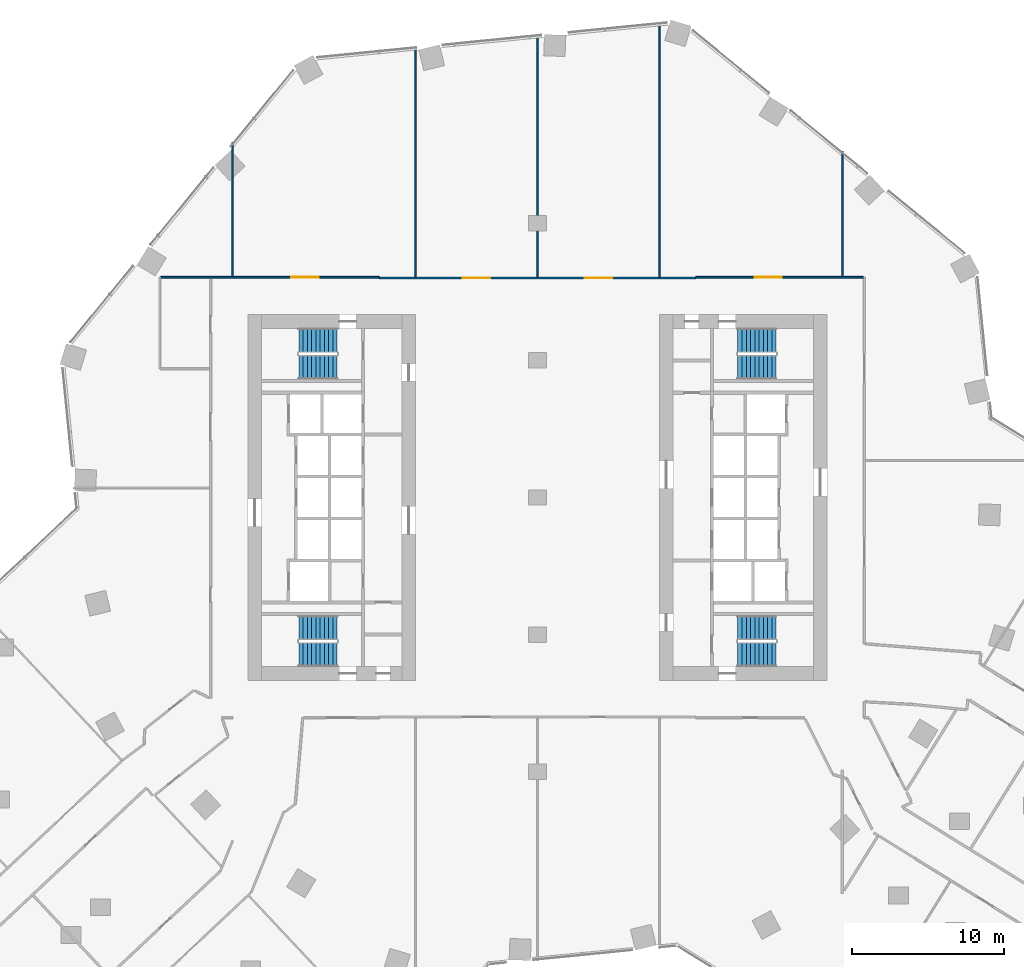
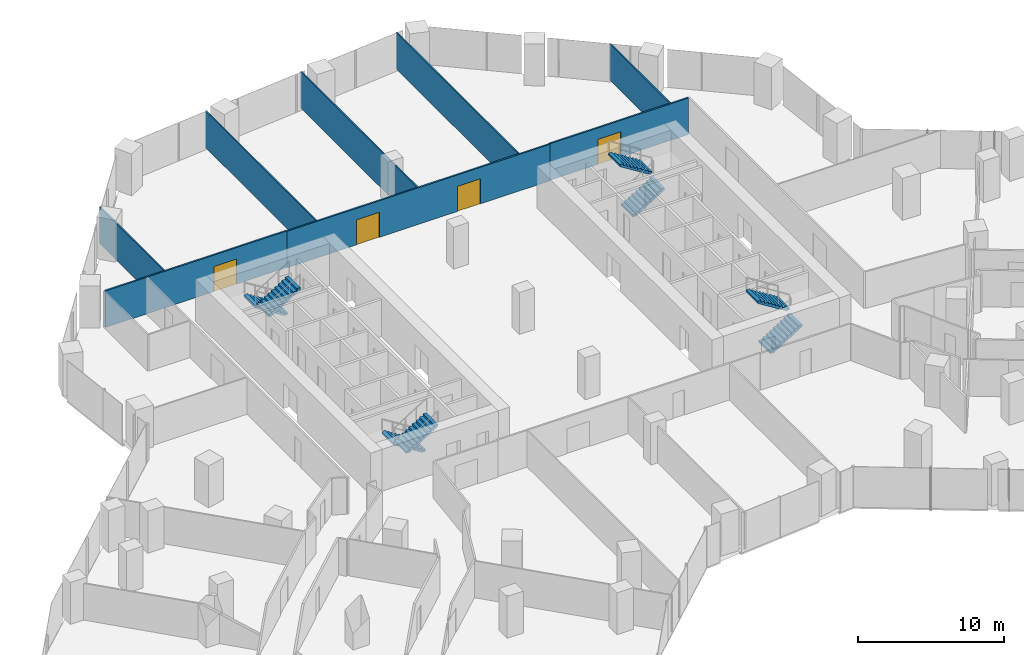
# One storey, part 33 of 34: 8 stair flights, 8 walls, 4 doors, 4 openings, 4 elements without a shape of their own.
"""IFC4 building model written with IfcOpenShell, lengths in metres."""

from ifc_helpers import new_model, si_unit, direction, frame, frame_2d, origin, place, context, subcontext, project, spatial, polyline, rectangle, outline, extrude, material, layer, layer_set, type_object, element, fill, aggregate, save


model = new_model("IFC4")

# Units and contexts
model_context = context("Model", 3, precision=1e-05, world=origin(), true_north=direction((0.0, 1.0)))
body_context = subcontext(model_context, "Body", "Model", "MODEL_VIEW")
ifc_project = project(units=[si_unit("LENGTHUNIT", "METRE"), si_unit("AREAUNIT", "SQUARE_METRE"), si_unit("VOLUMEUNIT", "CUBIC_METRE"), si_unit("PLANEANGLEUNIT", "RADIAN"), si_unit("MASSUNIT", "GRAM", prefix="KILO")], contexts=[model_context])

# Site, building, storey
site_placement = place(None, origin())
site = spatial("IfcSite", under=ifc_project, at=site_placement, CompositionType="ELEMENT")
building_placement = place(site_placement, origin())
building = spatial("IfcBuilding", under=site, at=building_placement, Name="Orlundy Tower", CompositionType="ELEMENT")
storey_placement = place(building_placement, frame((0.0, 0.0, 40.800048828125)))
storey = spatial("IfcBuildingStorey", under=building, at=storey_placement, Name="L08", CompositionType="ELEMENT", Elevation=40.800048828125)

# Walls
ifc_material_1 = material(Name="Gypsum board partition")
ifc_layer_1 = layer(ifc_material_1, 0.10009765625)
ifc_layer_set_1 = layer_set([ifc_layer_1], Name="Floor partition 100")
wall_type_1 = type_object("IfcWallType", Name="Floor partition 100", PredefinedType="PARTITIONING", material=ifc_layer_set_1)
wall_1_placement = place(storey_placement, frame((20.0, 14.513916015625, 0.0), z_axis=(0.0, 0.0, 1.0), x_axis=(0.0, 1.0, 0.0)))
element("IfcWall", 1, at=wall_1_placement, inside=storey, type_object=wall_type_1, Name="wall-int-L08-077", PredefinedType="PARTITIONING", context=body_context, shape_type="SweptSolid", body=[
    extrude(rectangle(XDim=8.2060546875, YDim=0.10009765625, at=frame_2d((4.10302734375, 0.0))), origin(), (0.0, 0.0, 1.0), 3.06005859375),
])
wall_2_placement = place(storey_placement, frame((8.0, 14.462890625, 0.0), z_axis=(0.0, 0.0, 1.0), x_axis=(0.0, 1.0, 0.0)))
element("IfcWall", 2, at=wall_2_placement, inside=storey, type_object=wall_type_1, Name="wall-int-L08-079", PredefinedType="PARTITIONING", context=body_context, shape_type="SweptSolid", body=[
    extrude(rectangle(XDim=16.72900390625, YDim=0.10009765625, at=frame_2d((8.364501953125, 0.0))), origin(), (0.0, 0.0, 1.0), 3.06005859375),
])
wall_3_placement = place(storey_placement, frame((0.0, 14.462890625, 0.0), z_axis=(0.0, 0.0, 1.0), x_axis=(0.0, 1.0, 0.0)))
element("IfcWall", 3, at=wall_3_placement, inside=storey, type_object=wall_type_1, Name="wall-int-L08-081", PredefinedType="PARTITIONING", context=body_context, shape_type="SweptSolid", body=[
    extrude(rectangle(XDim=15.93505859375, YDim=0.10009765625, at=frame_2d((7.967529296875, 0.0))), origin(), (0.0, 0.0, 1.0), 3.06005859375),
])
wall_4_placement = place(storey_placement, frame((-8.0, 14.462890625, 0.0), z_axis=(0.0, 0.0, 1.0), x_axis=(0.0, 1.0, 0.0)))
element("IfcWall", 4, at=wall_4_placement, inside=storey, type_object=wall_type_1, Name="wall-int-L08-083", PredefinedType="PARTITIONING", context=body_context, shape_type="SweptSolid", body=[
    extrude(rectangle(XDim=15.14208984375, YDim=0.10009765625, at=frame_2d((7.571044921875, 0.0))), origin(), (0.0, 0.0, 1.0), 3.06005859375),
])
wall_5_placement = place(storey_placement, frame((-20.0, 14.513916015625, 0.0), z_axis=(0.0, 0.0, 1.0), x_axis=(0.0, 1.0, 0.0)))
element("IfcWall", 5, at=wall_5_placement, inside=storey, type_object=wall_type_1, Name="wall-int-L08-084", PredefinedType="PARTITIONING", context=body_context, shape_type="SweptSolid", body=[
    extrude(rectangle(XDim=8.80517578125, YDim=0.10009765625, at=frame_2d((4.402587890625, 0.0))), origin(), (0.0, 0.0, 1.0), 3.06005859375),
])

# Wall, openings, doors
ifc_material_2 = material(Name="Gypsum board partition, double layer")
ifc_layer_2 = layer(ifc_material_2, 0.125)
ifc_layer_set_2 = layer_set([ifc_layer_2], Name="Floor partition 125")
wall_type_2 = type_object("IfcWallType", Name="Floor partition 125", PredefinedType="PARTITIONING", material=ifc_layer_set_2)
wall_6_placement = place(storey_placement, frame((-10.389892578125, 14.40087890625, 0.0), z_axis=(0.0, 0.0, 1.0), x_axis=(1.0, 0.0, 0.0)))
wall_6 = element("IfcWall", 6, at=wall_6_placement, inside=storey, type_object=wall_type_2, Name="wall-int-L08-041", PredefinedType="PARTITIONING", context=body_context, shape_type="SweptSolid", body=[
    extrude(rectangle(XDim=20.781005859375, YDim=0.125, at=frame_2d((10.390625, 0.0))), origin(), (0.0, 0.0, 1.0), 3.06005859375),
])
opening_1_placement = place(wall_6_placement, frame((13.489990234375, 0.0, 0.0)))
opening_1 = element("IfcOpeningElement", 7, at=opening_1_placement, cuts=wall_6, Name="Opening 09132", PredefinedType="OPENING", context=body_context, shape_type="SweptSolid", body=[
    extrude(rectangle(XDim=1.800048828125, YDim=2.10009765625, at=frame_2d((0.89990234375, 1.050048828125))), frame((0.0, 0.072509765625, 0.0), z_axis=(0.0, -1.0, 0.0), x_axis=(1.0, 0.0, 0.0)), (0.0, 0.0, 1.0), 0.14501953125),
])
opening_2_placement = place(wall_6_placement, frame((5.489990234375, 0.0, 0.0)))
opening_2 = element("IfcOpeningElement", 8, at=opening_2_placement, cuts=wall_6, Name="Opening 09133", PredefinedType="OPENING", context=body_context, shape_type="SweptSolid", body=[
    extrude(rectangle(XDim=1.800048828125, YDim=2.10009765625, at=frame_2d((0.89990234375, 1.050048828125))), frame((0.0, 0.072509765625, 0.0), z_axis=(0.0, -1.0, 0.0), x_axis=(1.0, 0.0, 0.0)), (0.0, 0.0, 1.0), 0.14501953125),
])
ifc_material_3 = material(Name="Timber door leaf", Category="wood")
door_type = type_object("IfcDoorType", Name="Floor door double 1800 FD30S", OperationType="NOTDEFINED", PredefinedType="DOOR", material=ifc_material_3)
door_1_placement = place(opening_1_placement, origin())
door_1 = element("IfcDoor", 9, at=door_1_placement, inside=storey, type_object=door_type, Name="Door 09132", OperationType="DOUBLE_DOOR_SINGLE_SWING", OverallHeight=2.10009765625, OverallWidth=1.800048828125, PredefinedType="DOOR", context=body_context, shape_type="SweptSolid", body=[
    extrude(rectangle(XDim=1.800048828125, YDim=2.10009765625, at=frame_2d((0.89990234375, 1.050048828125))), frame((0.0, 0.02490234375, 0.0), z_axis=(0.0, -1.0, 0.0), x_axis=(1.0, 0.0, 0.0)), (0.0, 0.0, 1.0), 0.050048828125),
])
fill(opening_1, door_1)
door_2_placement = place(opening_2_placement, origin())
door_2 = element("IfcDoor", 10, at=door_2_placement, inside=storey, type_object=door_type, Name="Door 09133", OperationType="DOUBLE_DOOR_SINGLE_SWING", OverallHeight=2.10009765625, OverallWidth=1.800048828125, PredefinedType="DOOR", context=body_context, shape_type="SweptSolid", body=[
    extrude(rectangle(XDim=1.800048828125, YDim=2.10009765625, at=frame_2d((0.89990234375, 1.050048828125))), frame((0.0, 0.02490234375, 0.0), z_axis=(0.0, -1.0, 0.0), x_axis=(1.0, 0.0, 0.0)), (0.0, 0.0, 1.0), 0.050048828125),
])
fill(opening_2, door_2)

# Wall, opening, door
wall_7_placement = place(storey_placement, frame((-24.73095703125, 14.449951171875, 0.0), z_axis=(0.0, 0.0, 1.0), x_axis=(1.0, 0.0, 0.0)))
wall_7 = element("IfcWall", 11, at=wall_7_placement, inside=storey, type_object=wall_type_2, Name="wall-int-L08-042", PredefinedType="PARTITIONING", context=body_context, shape_type="SweptSolid", body=[
    extrude(rectangle(XDim=14.33984375, YDim=0.125, at=frame_2d((7.169921875, 0.0))), origin(), (0.0, 0.0, 1.0), 3.06005859375),
])
opening_3_placement = place(wall_7_placement, frame((8.5810546875, 0.0, 0.0)))
opening_3 = element("IfcOpeningElement", 12, at=opening_3_placement, cuts=wall_7, Name="Opening 09134", PredefinedType="OPENING", context=body_context, shape_type="SweptSolid", body=[
    extrude(rectangle(XDim=1.800048828125, YDim=2.10009765625, at=frame_2d((0.89990234375, 1.050048828125))), frame((0.0, 0.072509765625, 0.0), z_axis=(0.0, -1.0, 0.0), x_axis=(1.0, 0.0, 0.0)), (0.0, 0.0, 1.0), 0.14501953125),
])
door_3_placement = place(opening_3_placement, origin())
door_3 = element("IfcDoor", 13, at=door_3_placement, inside=storey, type_object=door_type, Name="Door 09134", OperationType="DOUBLE_DOOR_SINGLE_SWING", OverallHeight=2.10009765625, OverallWidth=1.800048828125, PredefinedType="DOOR", context=body_context, shape_type="SweptSolid", body=[
    extrude(rectangle(XDim=1.800048828125, YDim=2.10009765625, at=frame_2d((0.89990234375, 1.050048828125))), frame((0.0, 0.02490234375, 0.0), z_axis=(0.0, -1.0, 0.0), x_axis=(1.0, 0.0, 0.0)), (0.0, 0.0, 1.0), 0.050048828125),
])
fill(opening_3, door_3)

wall_8_placement = place(storey_placement, frame((10.39111328125, 14.450927734375, 0.0), z_axis=(0.0, 0.0, 1.0), x_axis=(1.0, 0.0, 0.0)))
wall_8 = element("IfcWall", 14, at=wall_8_placement, inside=storey, type_object=wall_type_2, Name="wall-int-L08-043", PredefinedType="PARTITIONING", context=body_context, shape_type="SweptSolid", body=[
    extrude(rectangle(XDim=10.995849609375, YDim=0.125, at=frame_2d((5.498046875, 0.0))), origin(), (0.0, 0.0, 1.0), 3.06005859375),
])
opening_4_placement = place(wall_8_placement, frame((3.85009765625, 0.0, 0.0)))
opening_4 = element("IfcOpeningElement", 15, at=opening_4_placement, cuts=wall_8, Name="Opening 09131", PredefinedType="OPENING", context=body_context, shape_type="SweptSolid", body=[
    extrude(rectangle(XDim=1.800048828125, YDim=2.10009765625, at=frame_2d((0.89990234375, 1.050048828125))), frame((0.0, 0.072509765625, 0.0), z_axis=(0.0, -1.0, 0.0), x_axis=(1.0, 0.0, 0.0)), (0.0, 0.0, 1.0), 0.14501953125),
])
door_4_placement = place(opening_4_placement, origin())
door_4 = element("IfcDoor", 16, at=door_4_placement, inside=storey, type_object=door_type, Name="Door 09131", OperationType="DOUBLE_DOOR_SINGLE_SWING", OverallHeight=2.10009765625, OverallWidth=1.800048828125, PredefinedType="DOOR", context=body_context, shape_type="SweptSolid", body=[
    extrude(rectangle(XDim=1.800048828125, YDim=2.10009765625, at=frame_2d((0.89990234375, 1.050048828125))), frame((0.0, 0.02490234375, 0.0), z_axis=(0.0, -1.0, 0.0), x_axis=(1.0, 0.0, 0.0)), (0.0, 0.0, 1.0), 0.050048828125),
])
fill(opening_4, door_4)

# Stair, stair flights
ifc_material_4 = material(Name="Concrete C50/60", Category="concrete")
stair_type = type_object("IfcStairType", Name="Exit Stair 20 risers", PredefinedType="HALF_TURN_STAIR", material=ifc_material_4)
stair_1_placement = place(storey_placement, origin())
stair_1 = element("IfcStair", 17, at=stair_1_placement, inside=storey, type_object=stair_type, Name="L08 Exit Stair ST-W1", PredefinedType="HALF_TURN_STAIR")
ifc_material_5 = material(Name="Concrete C50/60", Category="concrete")
stair_flight_type = type_object("IfcStairFlightType", Name="Stair Flight 10 risers", PredefinedType="STRAIGHT", material=ifc_material_5)
stair_flight_1_placement = place(storey_placement, frame((-13.139892578125, 10.300048828125, 0.0), z_axis=(0.0, 0.0, 1.0), x_axis=(-1.0, 0.0, 0.0)))
stair_flight_1 = element("IfcStairFlight", 18, at=stair_flight_1_placement, type_object=stair_flight_type, Name="ST-W1 flight 1", NumberOfRisers=10, NumberOfTreads=9, PredefinedType="STRAIGHT", RiserHeight=0.175, TreadLength=0.28, context=body_context, shape_type="SweptSolid", body=[
    extrude(outline(polyline([(0.0, 0.0), (0.0, 0.175048828125), (0.280029296875, 0.175048828125), (0.280029296875, 0.35009765625), (0.56005859375, 0.35009765625), (0.56005859375, 0.52490234375), (0.840087890625, 0.52490234375), (0.840087890625, 0.699951171875), (1.1201171875, 0.699951171875), (1.1201171875, 0.875), (1.39990234375, 0.875), (1.39990234375, 1.050048828125), (1.679931640625, 1.050048828125), (1.679931640625, 1.22509765625), (1.9599609375, 1.22509765625), (1.9599609375, 1.39990234375), (2.239990234375, 1.39990234375), (2.239990234375, 1.574951171875), (2.52001953125, 1.574951171875), (2.52001953125, 1.75), (2.52001953125, 1.398193359375), (0.28271484375, 0.0), (0.0, 0.0)])), frame((0.0, 0.800048828125, 0.0), z_axis=(0.0, -1.0, 0.0), x_axis=(1.0, 0.0, 0.0)), (0.0, 0.0, 1.0), 1.60009765625),
])
stair_flight_2_placement = place(storey_placement, frame((-15.659912109375, 8.550048828125, 1.75), z_axis=(0.0, 0.0, 1.0), x_axis=(1.0, 0.0, 0.0)))
stair_flight_2 = element("IfcStairFlight", 19, at=stair_flight_2_placement, type_object=stair_flight_type, Name="ST-W1 flight 2", NumberOfRisers=10, NumberOfTreads=9, PredefinedType="STRAIGHT", RiserHeight=0.175, TreadLength=0.28, context=body_context, shape_type="SweptSolid", body=[
    extrude(outline(polyline([(0.0, 0.0), (0.0, 0.175048828125), (0.280029296875, 0.175048828125), (0.280029296875, 0.35009765625), (0.56005859375, 0.35009765625), (0.56005859375, 0.52490234375), (0.840087890625, 0.52490234375), (0.840087890625, 0.699951171875), (1.1201171875, 0.699951171875), (1.1201171875, 0.875), (1.39990234375, 0.875), (1.39990234375, 1.050048828125), (1.679931640625, 1.050048828125), (1.679931640625, 1.22509765625), (1.9599609375, 1.22509765625), (1.9599609375, 1.39990234375), (2.239990234375, 1.39990234375), (2.239990234375, 1.574951171875), (2.52001953125, 1.574951171875), (2.52001953125, 1.75), (2.52001953125, 1.398193359375), (0.28271484375, 0.0), (0.0, 0.0)])), frame((0.0, 0.800048828125, 0.0), z_axis=(0.0, -1.0, 0.0), x_axis=(1.0, 0.0, 0.0)), (0.0, 0.0, 1.0), 1.60009765625),
])
aggregate(stair_1, [stair_flight_1, stair_flight_2])

stair_2_placement = place(storey_placement, origin())
stair_2 = element("IfcStair", 20, at=stair_2_placement, inside=storey, type_object=stair_type, Name="L08 Exit Stair ST-W2", PredefinedType="HALF_TURN_STAIR")
stair_flight_3_placement = place(storey_placement, frame((-13.139892578125, -8.550048828125, 0.0), z_axis=(0.0, 0.0, 1.0), x_axis=(-1.0, 0.0, 0.0)))
stair_flight_3 = element("IfcStairFlight", 21, at=stair_flight_3_placement, type_object=stair_flight_type, Name="ST-W2 flight 1", NumberOfRisers=10, NumberOfTreads=9, PredefinedType="STRAIGHT", RiserHeight=0.175, TreadLength=0.28, context=body_context, shape_type="SweptSolid", body=[
    extrude(outline(polyline([(0.0, 0.0), (0.0, 0.175048828125), (0.280029296875, 0.175048828125), (0.280029296875, 0.35009765625), (0.56005859375, 0.35009765625), (0.56005859375, 0.52490234375), (0.840087890625, 0.52490234375), (0.840087890625, 0.699951171875), (1.1201171875, 0.699951171875), (1.1201171875, 0.875), (1.39990234375, 0.875), (1.39990234375, 1.050048828125), (1.679931640625, 1.050048828125), (1.679931640625, 1.22509765625), (1.9599609375, 1.22509765625), (1.9599609375, 1.39990234375), (2.239990234375, 1.39990234375), (2.239990234375, 1.574951171875), (2.52001953125, 1.574951171875), (2.52001953125, 1.75), (2.52001953125, 1.398193359375), (0.28271484375, 0.0), (0.0, 0.0)])), frame((0.0, 0.800048828125, 0.0), z_axis=(0.0, -1.0, 0.0), x_axis=(1.0, 0.0, 0.0)), (0.0, 0.0, 1.0), 1.60009765625),
])
stair_flight_4_placement = place(storey_placement, frame((-15.659912109375, -10.300048828125, 1.75), z_axis=(0.0, 0.0, 1.0), x_axis=(1.0, 0.0, 0.0)))
stair_flight_4 = element("IfcStairFlight", 22, at=stair_flight_4_placement, type_object=stair_flight_type, Name="ST-W2 flight 2", NumberOfRisers=10, NumberOfTreads=9, PredefinedType="STRAIGHT", RiserHeight=0.175, TreadLength=0.28, context=body_context, shape_type="SweptSolid", body=[
    extrude(outline(polyline([(0.0, 0.0), (0.0, 0.175048828125), (0.280029296875, 0.175048828125), (0.280029296875, 0.35009765625), (0.56005859375, 0.35009765625), (0.56005859375, 0.52490234375), (0.840087890625, 0.52490234375), (0.840087890625, 0.699951171875), (1.1201171875, 0.699951171875), (1.1201171875, 0.875), (1.39990234375, 0.875), (1.39990234375, 1.050048828125), (1.679931640625, 1.050048828125), (1.679931640625, 1.22509765625), (1.9599609375, 1.22509765625), (1.9599609375, 1.39990234375), (2.239990234375, 1.39990234375), (2.239990234375, 1.574951171875), (2.52001953125, 1.574951171875), (2.52001953125, 1.75), (2.52001953125, 1.398193359375), (0.28271484375, 0.0), (0.0, 0.0)])), frame((0.0, 0.800048828125, 0.0), z_axis=(0.0, -1.0, 0.0), x_axis=(1.0, 0.0, 0.0)), (0.0, 0.0, 1.0), 1.60009765625),
])
aggregate(stair_2, [stair_flight_3, stair_flight_4])

stair_3_placement = place(storey_placement, origin())
stair_3 = element("IfcStair", 23, at=stair_3_placement, inside=storey, type_object=stair_type, Name="L08 Exit Stair ST-E1", PredefinedType="HALF_TURN_STAIR")
stair_flight_5_placement = place(storey_placement, frame((13.139892578125, -10.300048828125, 0.0), z_axis=(0.0, 0.0, 1.0), x_axis=(1.0, 0.0, 0.0)))
stair_flight_5 = element("IfcStairFlight", 24, at=stair_flight_5_placement, type_object=stair_flight_type, Name="ST-E1 flight 1", NumberOfRisers=10, NumberOfTreads=9, PredefinedType="STRAIGHT", RiserHeight=0.175, TreadLength=0.28, context=body_context, shape_type="SweptSolid", body=[
    extrude(outline(polyline([(0.0, 0.0), (0.0, 0.175048828125), (0.280029296875, 0.175048828125), (0.280029296875, 0.35009765625), (0.56005859375, 0.35009765625), (0.56005859375, 0.52490234375), (0.840087890625, 0.52490234375), (0.840087890625, 0.699951171875), (1.1201171875, 0.699951171875), (1.1201171875, 0.875), (1.39990234375, 0.875), (1.39990234375, 1.050048828125), (1.679931640625, 1.050048828125), (1.679931640625, 1.22509765625), (1.9599609375, 1.22509765625), (1.9599609375, 1.39990234375), (2.239990234375, 1.39990234375), (2.239990234375, 1.574951171875), (2.52001953125, 1.574951171875), (2.52001953125, 1.75), (2.52001953125, 1.398193359375), (0.28271484375, 0.0), (0.0, 0.0)])), frame((0.0, 0.800048828125, 0.0), z_axis=(0.0, -1.0, 0.0), x_axis=(1.0, 0.0, 0.0)), (0.0, 0.0, 1.0), 1.60009765625),
])
stair_flight_6_placement = place(storey_placement, frame((15.659912109375, -8.550048828125, 1.75), z_axis=(0.0, 0.0, 1.0), x_axis=(-1.0, 0.0, 0.0)))
stair_flight_6 = element("IfcStairFlight", 25, at=stair_flight_6_placement, type_object=stair_flight_type, Name="ST-E1 flight 2", NumberOfRisers=10, NumberOfTreads=9, PredefinedType="STRAIGHT", RiserHeight=0.175, TreadLength=0.28, context=body_context, shape_type="SweptSolid", body=[
    extrude(outline(polyline([(0.0, 0.0), (0.0, 0.175048828125), (0.280029296875, 0.175048828125), (0.280029296875, 0.35009765625), (0.56005859375, 0.35009765625), (0.56005859375, 0.52490234375), (0.840087890625, 0.52490234375), (0.840087890625, 0.699951171875), (1.1201171875, 0.699951171875), (1.1201171875, 0.875), (1.39990234375, 0.875), (1.39990234375, 1.050048828125), (1.679931640625, 1.050048828125), (1.679931640625, 1.22509765625), (1.9599609375, 1.22509765625), (1.9599609375, 1.39990234375), (2.239990234375, 1.39990234375), (2.239990234375, 1.574951171875), (2.52001953125, 1.574951171875), (2.52001953125, 1.75), (2.52001953125, 1.398193359375), (0.28271484375, 0.0), (0.0, 0.0)])), frame((0.0, 0.800048828125, 0.0), z_axis=(0.0, -1.0, 0.0), x_axis=(1.0, 0.0, 0.0)), (0.0, 0.0, 1.0), 1.60009765625),
])
aggregate(stair_3, [stair_flight_5, stair_flight_6])

stair_4_placement = place(storey_placement, origin())
stair_4 = element("IfcStair", 26, at=stair_4_placement, inside=storey, type_object=stair_type, Name="L08 Exit Stair ST-E2", PredefinedType="HALF_TURN_STAIR")
stair_flight_7_placement = place(storey_placement, frame((13.139892578125, 8.550048828125, 0.0), z_axis=(0.0, 0.0, 1.0), x_axis=(1.0, 0.0, 0.0)))
stair_flight_7 = element("IfcStairFlight", 27, at=stair_flight_7_placement, type_object=stair_flight_type, Name="ST-E2 flight 1", NumberOfRisers=10, NumberOfTreads=9, PredefinedType="STRAIGHT", RiserHeight=0.175, TreadLength=0.28, context=body_context, shape_type="SweptSolid", body=[
    extrude(outline(polyline([(0.0, 0.0), (0.0, 0.175048828125), (0.280029296875, 0.175048828125), (0.280029296875, 0.35009765625), (0.56005859375, 0.35009765625), (0.56005859375, 0.52490234375), (0.840087890625, 0.52490234375), (0.840087890625, 0.699951171875), (1.1201171875, 0.699951171875), (1.1201171875, 0.875), (1.39990234375, 0.875), (1.39990234375, 1.050048828125), (1.679931640625, 1.050048828125), (1.679931640625, 1.22509765625), (1.9599609375, 1.22509765625), (1.9599609375, 1.39990234375), (2.239990234375, 1.39990234375), (2.239990234375, 1.574951171875), (2.52001953125, 1.574951171875), (2.52001953125, 1.75), (2.52001953125, 1.398193359375), (0.28271484375, 0.0), (0.0, 0.0)])), frame((0.0, 0.800048828125, 0.0), z_axis=(0.0, -1.0, 0.0), x_axis=(1.0, 0.0, 0.0)), (0.0, 0.0, 1.0), 1.60009765625),
])
stair_flight_8_placement = place(storey_placement, frame((15.659912109375, 10.300048828125, 1.75), z_axis=(0.0, 0.0, 1.0), x_axis=(-1.0, 0.0, 0.0)))
stair_flight_8 = element("IfcStairFlight", 28, at=stair_flight_8_placement, type_object=stair_flight_type, Name="ST-E2 flight 2", NumberOfRisers=10, NumberOfTreads=9, PredefinedType="STRAIGHT", RiserHeight=0.175, TreadLength=0.28, context=body_context, shape_type="SweptSolid", body=[
    extrude(outline(polyline([(0.0, 0.0), (0.0, 0.175048828125), (0.280029296875, 0.175048828125), (0.280029296875, 0.35009765625), (0.56005859375, 0.35009765625), (0.56005859375, 0.52490234375), (0.840087890625, 0.52490234375), (0.840087890625, 0.699951171875), (1.1201171875, 0.699951171875), (1.1201171875, 0.875), (1.39990234375, 0.875), (1.39990234375, 1.050048828125), (1.679931640625, 1.050048828125), (1.679931640625, 1.22509765625), (1.9599609375, 1.22509765625), (1.9599609375, 1.39990234375), (2.239990234375, 1.39990234375), (2.239990234375, 1.574951171875), (2.52001953125, 1.574951171875), (2.52001953125, 1.75), (2.52001953125, 1.398193359375), (0.28271484375, 0.0), (0.0, 0.0)])), frame((0.0, 0.800048828125, 0.0), z_axis=(0.0, -1.0, 0.0), x_axis=(1.0, 0.0, 0.0)), (0.0, 0.0, 1.0), 1.60009765625),
])
aggregate(stair_4, [stair_flight_7, stair_flight_8])

save(model, "model.ifc")
